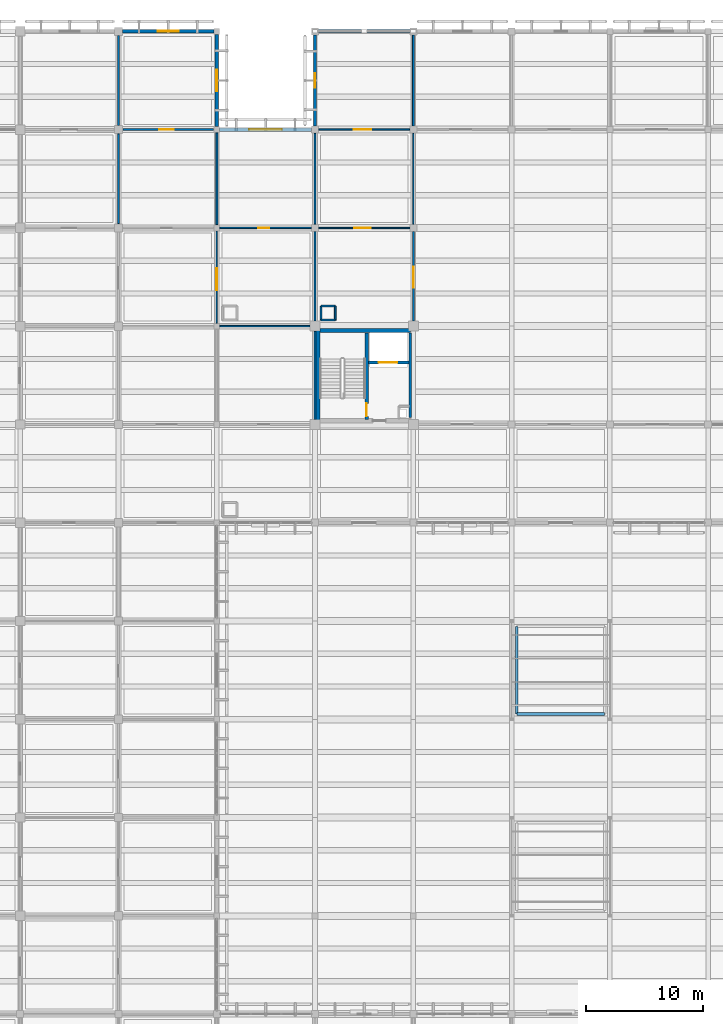
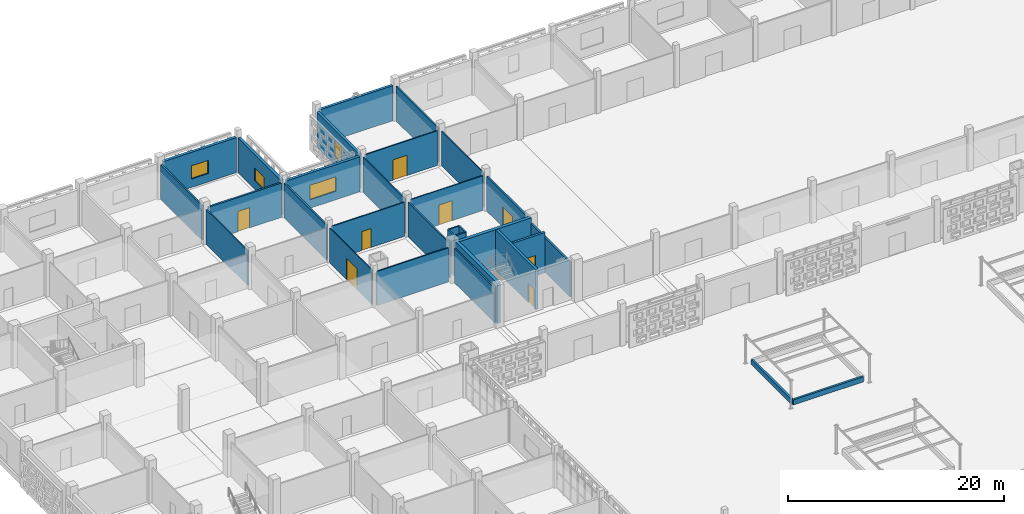
# One storey, part 65 of 129: 31 walls, 8 doors, 4 windows, 12 openings.
"""IFC4 building model written with IfcOpenShell, lengths in metres."""

from ifc_helpers import new_model, si_unit, direction, frame, frame_2d, origin, place, context, subcontext, project, spatial, rectangle, extrude, material, layer, layer_set, type_object, element, fill, save


model = new_model("IFC4")

# Units and contexts
model_context = context("Model", 3, precision=1e-05, world=origin(), true_north=direction((0.0, 1.0)))
body_context = subcontext(model_context, "Body", "Model", "MODEL_VIEW")
ifc_project = project(units=[si_unit("LENGTHUNIT", "METRE"), si_unit("AREAUNIT", "SQUARE_METRE"), si_unit("VOLUMEUNIT", "CUBIC_METRE"), si_unit("PLANEANGLEUNIT", "RADIAN"), si_unit("MASSUNIT", "GRAM", prefix="KILO")], contexts=[model_context])

# Site, building, storey
site_placement = place(None, origin())
site = spatial("IfcSite", under=ifc_project, at=site_placement, CompositionType="ELEMENT")
building_placement = place(site_placement, origin())
building = spatial("IfcBuilding", under=site, at=building_placement, Name="Varnapada Polytechnic", CompositionType="ELEMENT")
storey_placement = place(building_placement, origin())
storey = spatial("IfcBuildingStorey", under=building, at=storey_placement, Name="L00", CompositionType="ELEMENT", Elevation=0.0)

# Walls
ifc_material_1 = material(Name="Autoclaved Aerated Concrete Block AAC-600", Category="concrete")
ifc_layer_1 = layer(ifc_material_1, 0.199951171875)
ifc_layer_set_1 = layer_set([ifc_layer_1], Name="Autoclaved Aerated Concrete Block AAC-600")
wall_type_1 = type_object("IfcWallType", Name="Interior Wall IW-01", PredefinedType="PARTITIONING", material=ifc_layer_set_1)
wall_1_placement = place(storey_placement, frame((58.5400390625, 100.199951171875, 0.0), z_axis=(0.0, 0.0, 1.0), x_axis=(0.0, -1.0, 0.0)))
element("IfcWall", 1, at=wall_1_placement, inside=storey, type_object=wall_type_1, Name="L00 C4 firefighting lobby east wall", PredefinedType="PARTITIONING", context=body_context, shape_type="SweptSolid", body=[
    extrude(rectangle(XDim=7.199951171875, YDim=0.199951171875, at=frame_2d((3.60009765625, 0.0))), origin(), (0.0, 0.0, 1.0), 3.919921875),
])
ifc_layer_2 = layer(ifc_material_1, 0.14990234375)
ifc_layer_set_2 = layer_set([ifc_layer_2], Name="Autoclaved Aerated Concrete Block AAC-600")
wall_type_2 = type_object("IfcWallType", Name="Interior Wall IW-02", PredefinedType="PARTITIONING", material=ifc_layer_set_2)
wall_2_placement = place(storey_placement, frame((50.919921875, 101.320068359375, 0.0), z_axis=(0.0, 0.0, 1.0), x_axis=(1.0, 0.0, 0.0)))
element("IfcWall", 2, at=wall_2_placement, inside=storey, type_object=wall_type_2, Name="L00 enclosed service riser wall (7,13) S", PredefinedType="PARTITIONING", context=body_context, shape_type="SweptSolid", body=[
    extrude(rectangle(XDim=1.2001953125, YDim=0.14990234375, at=frame_2d((0.60009765625, 0.0))), origin(), (0.0, 0.0, 1.0), 4.5400390625),
])
wall_3_placement = place(storey_placement, frame((52.1201171875, 101.320068359375, 0.0), z_axis=(0.0, 0.0, 1.0), x_axis=(0.0, 1.0, 0.0)))
element("IfcWall", 3, at=wall_3_placement, inside=storey, type_object=wall_type_2, Name="L00 enclosed service riser wall (7,13) E", PredefinedType="PARTITIONING", context=body_context, shape_type="SweptSolid", body=[
    extrude(rectangle(XDim=1.199951171875, YDim=0.14990234375, at=frame_2d((0.60009765625, 0.0))), origin(), (0.0, 0.0, 1.0), 4.5400390625),
])
wall_4_placement = place(storey_placement, frame((52.1201171875, 102.52001953125, 0.0), z_axis=(0.0, 0.0, 1.0), x_axis=(-1.0, 0.0, 0.0)))
element("IfcWall", 4, at=wall_4_placement, inside=storey, type_object=wall_type_2, Name="L00 enclosed service riser wall (7,13) N", PredefinedType="PARTITIONING", context=body_context, shape_type="SweptSolid", body=[
    extrude(rectangle(XDim=1.2001953125, YDim=0.14990234375, at=frame_2d((0.60009765625, 0.0))), origin(), (0.0, 0.0, 1.0), 4.5400390625),
])
wall_5_placement = place(storey_placement, frame((50.919921875, 102.52001953125, 0.0), z_axis=(0.0, 0.0, 1.0), x_axis=(0.0, -1.0, 0.0)))
element("IfcWall", 5, at=wall_5_placement, inside=storey, type_object=wall_type_2, Name="L00 enclosed service riser wall (7,13) W", PredefinedType="PARTITIONING", context=body_context, shape_type="SweptSolid", body=[
    extrude(rectangle(XDim=1.199951171875, YDim=0.14990234375, at=frame_2d((0.60009765625, 0.0))), origin(), (0.0, 0.0, 1.0), 4.5400390625),
])
wall_6_placement = place(storey_placement, frame((50.39990234375, 101.2451171875, 0.0), z_axis=(0.0, 0.0, 1.0), x_axis=(0.0, 1.0, 0.0)))
element("IfcWall", 6, at=wall_6_placement, inside=storey, type_object=wall_type_2, Name="L00 interior partition IW-L00-05-12-V", PredefinedType="PARTITIONING", context=body_context, shape_type="SweptSolid", body=[
    extrude(rectangle(XDim=7.634765625, YDim=0.14990234375, at=frame_2d((3.8173828125, 0.0))), origin(), (0.0, 0.0, 1.0), 3.919921875),
])

# Wall, opening, door
ifc_material_2 = material(Name="Gypsum Plasterboard Acoustic Partition")
ifc_layer_3 = layer(ifc_material_2, 0.125)
ifc_layer_set_3 = layer_set([ifc_layer_3], Name="Gypsum Plasterboard Acoustic Partition")
wall_type_3 = type_object("IfcWallType", Name="Interior Wall IW-03", PredefinedType="PARTITIONING", material=ifc_layer_set_3)
wall_7_placement = place(storey_placement, frame((42.27001953125, 109.199951171875, 0.0), z_axis=(0.0, 0.0, 1.0), x_axis=(1.0, 0.0, 0.0)))
wall_7 = element("IfcWall", 7, at=wall_7_placement, inside=storey, type_object=wall_type_3, Name="L00 interior partition IW-L00-05-12-H", PredefinedType="PARTITIONING", context=body_context, shape_type="SweptSolid", body=[
    extrude(rectangle(XDim=7.81005859375, YDim=0.125, at=frame_2d((3.905029296875, 0.0))), origin(), (0.0, 0.0, 1.0), 3.860107421875),
])
opening_1_placement = place(wall_7_placement, frame((3.27490234375, 0.0, 0.0)))
opening_1 = element("IfcOpeningElement", 8, at=opening_1_placement, cuts=wall_7, Name="Opening D-868", PredefinedType="OPENING", context=body_context, shape_type="SweptSolid", body=[
    extrude(rectangle(XDim=0.949951171875, YDim=2.14990234375, at=frame_2d((0.47509765625, 1.074951171875))), frame((0.0, 0.072509765625, 0.0), z_axis=(0.0, -1.0, 0.0), x_axis=(1.0, 0.0, 0.0)), (0.0, 0.0, 1.0), 0.14501953125),
])
ifc_material_3 = material(Name="Moisture-Resistant HPL Timber", Category="wood")
door_type_1 = type_object("IfcDoorType", Name="Interior Door ID-03", OperationType="NOTDEFINED", PredefinedType="DOOR", material=ifc_material_3)
door_1_placement = place(opening_1_placement, origin())
door_1 = element("IfcDoor", 9, at=door_1_placement, inside=storey, type_object=door_type_1, Name="L00 interior room door D-868", OperationType="SINGLE_SWING_LEFT", OverallHeight=2.14990234375, OverallWidth=0.949951171875, PredefinedType="DOOR", context=body_context, shape_type="SweptSolid", body=[
    extrude(rectangle(XDim=0.949951171875, YDim=2.14990234375, at=frame_2d((0.47509765625, 1.074951171875))), frame((0.0, 0.02490234375, 0.0), z_axis=(0.0, -1.0, 0.0), x_axis=(1.0, 0.0, 0.0)), (0.0, 0.0, 1.0), 0.050048828125),
])
fill(opening_1, door_1)

# Walls
ifc_material_4 = material(Name="Moisture-Resistant Cement Board Partition")
ifc_layer_4 = layer(ifc_material_4, 0.139892578125)
ifc_layer_set_4 = layer_set([ifc_layer_4], Name="Moisture-Resistant Cement Board Partition")
wall_type_4 = type_object("IfcWallType", Name="Interior Wall IW-04", PredefinedType="PARTITIONING", material=ifc_layer_set_4)
wall_8_placement = place(storey_placement, frame((33.60009765625, 109.570068359375, 0.0), z_axis=(0.0, 0.0, 1.0), x_axis=(0.0, 1.0, 0.0)))
element("IfcWall", 10, at=wall_8_placement, inside=storey, type_object=wall_type_4, Name="L00 interior partition IW-L00-03-13-V", PredefinedType="PARTITIONING", context=body_context, shape_type="SweptSolid", body=[
    extrude(rectangle(XDim=7.659912109375, YDim=0.139892578125, at=frame_2d((3.830078125, 0.0))), origin(), (0.0, 0.0, 1.0), 3.919921875),
])
wall_9_placement = place(storey_placement, frame((50.39990234375, 92.844970703125, 0.0), z_axis=(0.0, 0.0, 1.0), x_axis=(0.0, 1.0, 0.0)))
element("IfcWall", 11, at=wall_9_placement, inside=storey, type_object=wall_type_4, Name="L00 interior partition IW-L00-05-11-V", PredefinedType="PARTITIONING", context=body_context, shape_type="SweptSolid", body=[
    extrude(rectangle(XDim=7.510009765625, YDim=0.139892578125, at=frame_2d((3.7548828125, 0.0))), origin(), (0.0, 0.0, 1.0), 3.919921875),
])
wall_10_placement = place(storey_placement, frame((42.27001953125, 100.800048828125, 0.0), z_axis=(0.0, 0.0, 1.0), x_axis=(1.0, 0.0, 0.0)))
element("IfcWall", 12, at=wall_10_placement, inside=storey, type_object=wall_type_4, Name="L00 interior partition IW-L00-05-11-H", PredefinedType="PARTITIONING", context=body_context, shape_type="SweptSolid", body=[
    extrude(rectangle(XDim=7.68505859375, YDim=0.139892578125, at=frame_2d((3.842529296875, 0.0))), origin(), (0.0, 0.0, 1.0), 3.860107421875),
])
wall_11_placement = place(storey_placement, frame((50.39990234375, 109.52001953125, 0.0), z_axis=(0.0, 0.0, 1.0), x_axis=(0.0, 1.0, 0.0)))
element("IfcWall", 13, at=wall_11_placement, inside=storey, type_object=wall_type_4, Name="L00 interior partition IW-L00-05-13-V", PredefinedType="PARTITIONING", context=body_context, shape_type="SweptSolid", body=[
    extrude(rectangle(XDim=7.760009765625, YDim=0.139892578125, at=frame_2d((3.8798828125, 0.0))), origin(), (0.0, 0.0, 1.0), 3.919921875),
])
ifc_material_5 = material(Name="Acoustic Double-Stud Studio Partition")
ifc_layer_5 = layer(ifc_material_5, 0.179931640625)
ifc_layer_set_5 = layer_set([ifc_layer_5], Name="Acoustic Double-Stud Studio Partition")
wall_type_5 = type_object("IfcWallType", Name="Interior Wall IW-06", PredefinedType="PARTITIONING", material=ifc_layer_set_5)
wall_12_placement = place(storey_placement, frame((33.60009765625, 117.969970703125, 0.0), z_axis=(0.0, 0.0, 1.0), x_axis=(0.0, 1.0, 0.0)))
element("IfcWall", 14, at=wall_12_placement, inside=storey, type_object=wall_type_5, Name="L00 interior partition IW-L00-03-14-V", PredefinedType="PARTITIONING", context=body_context, shape_type="SweptSolid", body=[
    extrude(rectangle(XDim=7.659912109375, YDim=0.179931640625, at=frame_2d((3.830078125, 0.0))), origin(), (0.0, 0.0, 1.0), 3.919921875),
])

# Wall, opening, door
wall_13_placement = place(storey_placement, frame((58.800048828125, 101.2451171875, 0.0), z_axis=(0.0, 0.0, 1.0), x_axis=(0.0, 1.0, 0.0)))
wall_13 = element("IfcWall", 15, at=wall_13_placement, inside=storey, type_object=wall_type_5, Name="L00 interior partition IW-L00-06-12-V", PredefinedType="PARTITIONING", context=body_context, shape_type="SweptSolid", body=[
    extrude(rectangle(XDim=7.634765625, YDim=0.179931640625, at=frame_2d((3.8173828125, 0.0))), origin(), (0.0, 0.0, 1.0), 3.919921875),
])
opening_2_placement = place(wall_13_placement, frame((2.85009765625, 0.0, 0.0)))
opening_2 = element("IfcOpeningElement", 16, at=opening_2_placement, cuts=wall_13, Name="Opening D-870", PredefinedType="OPENING", context=body_context, shape_type="SweptSolid", body=[
    extrude(rectangle(XDim=1.800048828125, YDim=2.300048828125, at=frame_2d((0.89990234375, 1.14990234375))), frame((0.0, 0.099853515625, 0.0), z_axis=(0.0, -1.0, 0.0), x_axis=(1.0, 0.0, 0.0)), (0.0, 0.0, 1.0), 0.199951171875),
])
ifc_material_6 = material(Name="Acoustic Double Timber Leaf", Category="wood")
door_type_2 = type_object("IfcDoorType", Name="Interior Door ID-04", OperationType="NOTDEFINED", PredefinedType="DOOR", material=ifc_material_6)
door_2_placement = place(opening_2_placement, origin())
door_2 = element("IfcDoor", 17, at=door_2_placement, inside=storey, type_object=door_type_2, Name="L00 interior room door D-870", OperationType="SINGLE_SWING_LEFT", OverallHeight=2.300048828125, OverallWidth=1.800048828125, PredefinedType="DOOR", context=body_context, shape_type="SweptSolid", body=[
    extrude(rectangle(XDim=1.800048828125, YDim=2.300048828125, at=frame_2d((0.89990234375, 1.14990234375))), frame((0.0, 0.02490234375, 0.0), z_axis=(0.0, -1.0, 0.0), x_axis=(1.0, 0.0, 0.0)), (0.0, 0.0, 1.0), 0.050048828125),
])
fill(opening_2, door_2)

ifc_material_7 = material(Name="Glazed Timber-Framed Studio Screen", Category="wood")
ifc_layer_6 = layer(ifc_material_7, 0.110107421875)
ifc_layer_set_6 = layer_set([ifc_layer_6], Name="Glazed Timber-Framed Studio Screen")
wall_type_6 = type_object("IfcWallType", Name="Interior Wall IW-07", PredefinedType="PARTITIONING", material=ifc_layer_set_6)
wall_14_placement = place(storey_placement, frame((50.719970703125, 109.199951171875, 0.0), z_axis=(0.0, 0.0, 1.0), x_axis=(1.0, 0.0, 0.0)))
wall_14 = element("IfcWall", 18, at=wall_14_placement, inside=storey, type_object=wall_type_6, Name="L00 interior partition IW-L00-06-12-H", PredefinedType="PARTITIONING", context=body_context, shape_type="SweptSolid", body=[
    extrude(rectangle(XDim=7.760009765625, YDim=0.110107421875, at=frame_2d((3.8798828125, 0.0))), origin(), (0.0, 0.0, 1.0), 3.919921875),
])
opening_3_placement = place(wall_14_placement, frame((3.050048828125, 0.0, 0.0)))
opening_3 = element("IfcOpeningElement", 19, at=opening_3_placement, cuts=wall_14, Name="Opening D-871", PredefinedType="OPENING", context=body_context, shape_type="SweptSolid", body=[
    extrude(rectangle(XDim=1.39990234375, YDim=2.25, at=frame_2d((0.699951171875, 1.125))), frame((0.0, 0.06494140625, 0.0), z_axis=(0.0, -1.0, 0.0), x_axis=(1.0, 0.0, 0.0)), (0.0, 0.0, 1.0), 0.130126953125),
])
ifc_material_8 = material(Name="Powder-Coated Aluminium 6063-T6", Category="aluminium")
door_type_3 = type_object("IfcDoorType", Name="Interior Door ID-06", OperationType="NOTDEFINED", PredefinedType="DOOR", material=ifc_material_8)
door_3_placement = place(opening_3_placement, origin())
door_3 = element("IfcDoor", 20, at=door_3_placement, inside=storey, type_object=door_type_3, Name="L00 interior room door D-871", OperationType="SINGLE_SWING_RIGHT", OverallHeight=2.25, OverallWidth=1.39990234375, PredefinedType="DOOR", context=body_context, shape_type="SweptSolid", body=[
    extrude(rectangle(XDim=1.39990234375, YDim=2.25, at=frame_2d((0.699951171875, 1.125))), frame((0.0, 0.02490234375, 0.0), z_axis=(0.0, -1.0, 0.0), x_axis=(1.0, 0.0, 0.0)), (0.0, 0.0, 1.0), 0.050048828125),
])
fill(opening_3, door_3)

ifc_material_9 = material(Name="Operable Acoustic Seminar Partition")
ifc_layer_7 = layer(ifc_material_9, 0.10009765625)
ifc_layer_set_7 = layer_set([ifc_layer_7], Name="Operable Acoustic Seminar Partition")
wall_type_7 = type_object("IfcWallType", Name="Interior Wall IW-08", PredefinedType="MOVABLE", material=ifc_layer_set_7)
wall_15_placement = place(storey_placement, frame((42.0, 101.070068359375, 0.0), z_axis=(0.0, 0.0, 1.0), x_axis=(0.0, 1.0, 0.0)))
wall_15 = element("IfcWall", 21, at=wall_15_placement, inside=storey, type_object=wall_type_7, Name="L00 interior partition IW-L00-04-12-V", PredefinedType="MOVABLE", context=body_context, shape_type="SweptSolid", body=[
    extrude(rectangle(XDim=7.85986328125, YDim=0.10009765625, at=frame_2d((3.929931640625, 0.0))), origin(), (0.0, 0.0, 1.0), 3.919921875),
])
opening_4_placement = place(wall_15_placement, frame((2.800048828125, 0.0, 0.0)))
opening_4 = element("IfcOpeningElement", 22, at=opening_4_placement, cuts=wall_15, Name="Opening D-862", PredefinedType="OPENING", context=body_context, shape_type="SweptSolid", body=[
    extrude(rectangle(XDim=1.89990234375, YDim=2.39990234375, at=frame_2d((0.949951171875, 1.199951171875))), frame((0.0, 0.06005859375, 0.0), z_axis=(0.0, -1.0, 0.0), x_axis=(1.0, 0.0, 0.0)), (0.0, 0.0, 1.0), 0.1201171875),
])
ifc_material_10 = material(Name="Heavy Workshop Double Steel Door", Category="steel")
door_type_4 = type_object("IfcDoorType", Name="Interior Door ID-14", OperationType="NOTDEFINED", PredefinedType="DOOR", material=ifc_material_10)
door_4_placement = place(opening_4_placement, origin())
door_4 = element("IfcDoor", 23, at=door_4_placement, inside=storey, type_object=door_type_4, Name="L00 interior room door D-862", OperationType="SINGLE_SWING_LEFT", OverallHeight=2.39990234375, OverallWidth=1.89990234375, PredefinedType="DOOR", context=body_context, shape_type="SweptSolid", body=[
    extrude(rectangle(XDim=1.89990234375, YDim=2.39990234375, at=frame_2d((0.949951171875, 1.199951171875))), frame((0.0, 0.02490234375, 0.0), z_axis=(0.0, -1.0, 0.0), x_axis=(1.0, 0.0, 0.0)), (0.0, 0.0, 1.0), 0.050048828125),
])
fill(opening_4, door_4)

# Wall
wall_16_placement = place(storey_placement, frame((58.800048828125, 109.52001953125, 0.0), z_axis=(0.0, 0.0, 1.0), x_axis=(0.0, 1.0, 0.0)))
element("IfcWall", 24, at=wall_16_placement, inside=storey, type_object=wall_type_7, Name="L00 interior partition IW-L00-06-13-V", PredefinedType="MOVABLE", context=body_context, shape_type="SweptSolid", body=[
    extrude(rectangle(XDim=7.760009765625, YDim=0.10009765625, at=frame_2d((3.8798828125, 0.0))), origin(), (0.0, 0.0, 1.0), 3.919921875),
])

# Wall, opening, door
ifc_material_11 = material(Name="Calcium Silicate Acoustic Lab Partition")
ifc_layer_8 = layer(ifc_material_11, 0.135009765625)
ifc_layer_set_8 = layer_set([ifc_layer_8], Name="Calcium Silicate Acoustic Lab Partition")
wall_type_8 = type_object("IfcWallType", Name="Interior Wall IW-09", PredefinedType="PARTITIONING", material=ifc_layer_set_8)
wall_17_placement = place(storey_placement, frame((50.719970703125, 117.60009765625, 0.0), z_axis=(0.0, 0.0, 1.0), x_axis=(1.0, 0.0, 0.0)))
wall_17 = element("IfcWall", 25, at=wall_17_placement, inside=storey, type_object=wall_type_8, Name="L00 interior partition IW-L00-06-13-H", PredefinedType="PARTITIONING", context=body_context, shape_type="SweptSolid", body=[
    extrude(rectangle(XDim=7.760009765625, YDim=0.135009765625, at=frame_2d((3.8798828125, 0.0))), origin(), (0.0, 0.0, 1.0), 3.919921875),
])
opening_5_placement = place(wall_17_placement, frame((3.0, 0.0, 0.0)))
opening_5 = element("IfcOpeningElement", 26, at=opening_5_placement, cuts=wall_17, Name="Opening D-872", PredefinedType="OPENING", context=body_context, shape_type="SweptSolid", body=[
    extrude(rectangle(XDim=1.5, YDim=2.300048828125, at=frame_2d((0.75, 1.14990234375))), frame((0.0, 0.077392578125, 0.0), z_axis=(0.0, -1.0, 0.0), x_axis=(1.0, 0.0, 0.0)), (0.0, 0.0, 1.0), 0.155029296875),
])
ifc_material_12 = material(Name="Galvanized Steel Z275", Category="steel")
door_type_5 = type_object("IfcDoorType", Name="Interior Door ID-07", OperationType="NOTDEFINED", PredefinedType="DOOR", material=ifc_material_12)
door_5_placement = place(opening_5_placement, frame((1.5, 0.0, 0.0), z_axis=(0.0, 0.0, 1.0), x_axis=(-1.0, 0.0, 0.0)))
door_5 = element("IfcDoor", 27, at=door_5_placement, inside=storey, type_object=door_type_5, Name="L00 interior room door D-872", OperationType="SINGLE_SWING_LEFT", OverallHeight=2.300048828125, OverallWidth=1.5, PredefinedType="DOOR", context=body_context, shape_type="SweptSolid", body=[
    extrude(rectangle(XDim=1.5, YDim=2.300048828125, at=frame_2d((0.75, 1.14990234375))), frame((0.0, 0.02490234375, 0.0), z_axis=(0.0, -1.0, 0.0), x_axis=(1.0, 0.0, 0.0)), (0.0, 0.0, 1.0), 0.050048828125),
])
fill(opening_5, door_5)

# Walls
ifc_material_13 = material(Name="Double-Layer Fireboard Workshop Wall")
ifc_layer_9 = layer(ifc_material_13, 0.169921875)
ifc_layer_set_9 = layer_set([ifc_layer_9], Name="Double-Layer Fireboard Workshop Wall")
wall_type_9 = type_object("IfcWallType", Name="Interior Wall IW-10", PredefinedType="PARTITIONING", material=ifc_layer_set_9)
wall_18_placement = place(storey_placement, frame((42.0, 109.469970703125, 0.0), z_axis=(0.0, 0.0, 1.0), x_axis=(0.0, 1.0, 0.0)))
element("IfcWall", 28, at=wall_18_placement, inside=storey, type_object=wall_type_9, Name="L00 interior partition IW-L00-04-13-V", PredefinedType="PARTITIONING", context=body_context, shape_type="SweptSolid", body=[
    extrude(rectangle(XDim=7.860107421875, YDim=0.169921875, at=frame_2d((3.93017578125, 0.0))), origin(), (0.0, 0.0, 1.0), 3.919921875),
])
wall_19_placement = place(storey_placement, frame((58.800048828125, 117.919921875, 0.0), z_axis=(0.0, 0.0, 1.0), x_axis=(0.0, 1.0, 0.0)))
element("IfcWall", 29, at=wall_19_placement, inside=storey, type_object=wall_type_9, Name="L00 interior partition IW-L00-06-14-V", PredefinedType="PARTITIONING", context=body_context, shape_type="SweptSolid", body=[
    extrude(rectangle(XDim=7.760009765625, YDim=0.169921875, at=frame_2d((3.8798828125, 0.0))), origin(), (0.0, 0.0, 1.0), 3.919921875),
])

# Wall, opening, door
ifc_material_14 = material(Name="Insulated Masonry Plant Room Wall", Category="masonry")
ifc_layer_10 = layer(ifc_material_14, 0.18994140625)
ifc_layer_set_10 = layer_set([ifc_layer_10], Name="Insulated Masonry Plant Room Wall")
wall_type_10 = type_object("IfcWallType", Name="Interior Wall IW-11", PredefinedType="PARTITIONING", material=ifc_layer_set_10)
wall_20_placement = place(storey_placement, frame((33.969970703125, 117.60009765625, 0.0), z_axis=(0.0, 0.0, 1.0), x_axis=(1.0, 0.0, 0.0)))
wall_20 = element("IfcWall", 30, at=wall_20_placement, inside=storey, type_object=wall_type_10, Name="L00 interior partition IW-L00-04-13-H", PredefinedType="PARTITIONING", context=body_context, shape_type="SweptSolid", body=[
    extrude(rectangle(XDim=7.760009765625, YDim=0.18994140625, at=frame_2d((3.8798828125, 0.0))), origin(), (0.0, 0.0, 1.0), 3.8701171875),
])
opening_6_placement = place(wall_20_placement, frame((3.125, 0.0, 0.0)))
opening_6 = element("IfcOpeningElement", 31, at=opening_6_placement, cuts=wall_20, Name="Opening D-864", PredefinedType="OPENING", context=body_context, shape_type="SweptSolid", body=[
    extrude(rectangle(XDim=1.25, YDim=2.300048828125, at=frame_2d((0.625, 1.14990234375))), frame((0.0, 0.10498046875, 0.0), z_axis=(0.0, -1.0, 0.0), x_axis=(1.0, 0.0, 0.0)), (0.0, 0.0, 1.0), 0.2099609375),
])
ifc_material_15 = material(Name="Solid Teak Hardwood Timber", Category="wood")
door_type_6 = type_object("IfcDoorType", Name="Interior Door ID-16", OperationType="NOTDEFINED", PredefinedType="DOOR", material=ifc_material_15)
door_6_placement = place(opening_6_placement, origin())
door_6 = element("IfcDoor", 32, at=door_6_placement, inside=storey, type_object=door_type_6, Name="L00 interior room door D-864", OperationType="SINGLE_SWING_LEFT", OverallHeight=2.300048828125, OverallWidth=1.25, PredefinedType="DOOR", context=body_context, shape_type="SweptSolid", body=[
    extrude(rectangle(XDim=1.25, YDim=2.300048828125, at=frame_2d((0.625, 1.14990234375))), frame((0.0, 0.02490234375, 0.0), z_axis=(0.0, -1.0, 0.0), x_axis=(1.0, 0.0, 0.0)), (0.0, 0.0, 1.0), 0.050048828125),
])
fill(opening_6, door_6)

# Walls
ifc_material_16 = material(Name="Concrete C40/50", Category="concrete")
ifc_layer_11 = layer(ifc_material_16, 0.35009765625)
ifc_layer_set_11 = layer_set([ifc_layer_11], Name="Concrete C40/50")
wall_type_11 = type_object("IfcWallType", Name="Interior Wall SW-01", PredefinedType="SHEAR", material=ifc_layer_set_11)
wall_21_placement = place(storey_placement, frame((50.6650390625, 92.64990234375, 0.0), z_axis=(0.0, 0.0, 1.0), x_axis=(0.0, 1.0, 0.0)))
element("IfcWall", 33, at=wall_21_placement, inside=storey, type_object=wall_type_11, Name="L00 C4 stair west shear wall", PredefinedType="SHEAR", context=body_context, shape_type="SweptSolid", body=[
    extrude(rectangle(XDim=7.940185546875, YDim=0.35009765625, at=frame_2d((3.97021484375, 0.0))), origin(), (0.0, 0.0, 1.0), 4.5400390625),
])
wall_22_placement = place(storey_placement, frame((50.6650390625, 100.419921875, 0.0), z_axis=(0.0, 0.0, 1.0), x_axis=(1.0, 0.0, 0.0)))
element("IfcWall", 34, at=wall_22_placement, inside=storey, type_object=wall_type_11, Name="L00 C4 core north shear wall", PredefinedType="SHEAR", context=body_context, shape_type="SweptSolid", body=[
    extrude(rectangle(XDim=7.875, YDim=0.35009765625, at=frame_2d((3.9375, 0.0))), origin(), (0.0, 0.0, 1.0), 4.5400390625),
])

# Wall, opening, door
ifc_layer_12 = layer(ifc_material_16, 0.300048828125)
ifc_layer_set_12 = layer_set([ifc_layer_12], Name="Concrete C40/50")
wall_type_12 = type_object("IfcWallType", Name="Interior Wall SW-02", PredefinedType="SHEAR", material=ifc_layer_set_12)
wall_23_placement = place(storey_placement, frame((54.81005859375, 92.820068359375, 0.0), z_axis=(0.0, 0.0, 1.0), x_axis=(0.0, 1.0, 0.0)))
wall_23 = element("IfcWall", 35, at=wall_23_placement, inside=storey, type_object=wall_type_12, Name="L00 C4 stair-lobby dividing shear wall", PredefinedType="SHEAR", context=body_context, shape_type="SweptSolid", body=[
    extrude(rectangle(XDim=7.3798828125, YDim=0.300048828125, at=frame_2d((3.68994140625, 0.0))), origin(), (0.0, 0.0, 1.0), 4.5400390625),
])
opening_7_placement = place(wall_23_placement, frame((0.280029296875, 0.0, 0.0)))
opening_7 = element("IfcOpeningElement", 36, at=opening_7_placement, cuts=wall_23, Name="Opening D-815", PredefinedType="OPENING", context=body_context, shape_type="SweptSolid", body=[
    extrude(rectangle(XDim=1.10009765625, YDim=2.14990234375, at=frame_2d((0.550048828125, 1.074951171875))), frame((0.0, 0.159912109375, 0.0), z_axis=(0.0, -1.0, 0.0), x_axis=(1.0, 0.0, 0.0)), (0.0, 0.0, 1.0), 0.320068359375),
])
door_type_7 = type_object("IfcDoorType", Name="Interior Door ID-01", OperationType="NOTDEFINED", PredefinedType="DOOR", material=ifc_material_12)
door_7_placement = place(opening_7_placement, frame((1.10009765625, 0.0, 0.0), z_axis=(0.0, 0.0, 1.0), x_axis=(-1.0, 0.0, 0.0)))
door_7 = element("IfcDoor", 37, at=door_7_placement, inside=storey, type_object=door_type_7, Name="L00 C4 exit stair door D-815", OperationType="SINGLE_SWING_RIGHT", OverallHeight=2.14990234375, OverallWidth=1.10009765625, PredefinedType="DOOR", context=body_context, shape_type="SweptSolid", body=[
    extrude(rectangle(XDim=1.10009765625, YDim=2.14990234375, at=frame_2d((0.550048828125, 1.074951171875))), frame((0.0, 0.02490234375, 0.0), z_axis=(0.0, -1.0, 0.0), x_axis=(1.0, 0.0, 0.0)), (0.0, 0.0, 1.0), 0.050048828125),
])
fill(opening_7, door_7)

ifc_layer_13 = layer(ifc_material_16, 0.25)
ifc_layer_set_13 = layer_set([ifc_layer_13], Name="Concrete C40/50")
wall_type_13 = type_object("IfcWallType", Name="Interior Wall SW-05", PredefinedType="SHEAR", material=ifc_layer_set_13)
wall_24_placement = place(storey_placement, frame((54.97998046875, 97.679931640625, 0.0), z_axis=(0.0, 0.0, 1.0), x_axis=(1.0, 0.0, 0.0)))
wall_24 = element("IfcWall", 38, at=wall_24_placement, inside=storey, type_object=wall_type_13, Name="L00 C4 lift shaft front wall", PredefinedType="SHEAR", context=body_context, shape_type="SweptSolid", body=[
    extrude(rectangle(XDim=3.4599609375, YDim=0.25, at=frame_2d((1.72998046875, 0.0))), origin(), (0.0, 0.0, 1.0), 4.5400390625),
])
opening_8_placement = place(wall_24_placement, frame((0.85009765625, 0.0, 0.0)))
opening_8 = element("IfcOpeningElement", 39, at=opening_8_placement, cuts=wall_24, Name="Opening LD-010", PredefinedType="OPENING", context=body_context, shape_type="SweptSolid", body=[
    extrude(rectangle(XDim=1.60009765625, YDim=2.300048828125, at=frame_2d((0.800048828125, 1.14990234375))), frame((0.0, 0.135009765625, 0.0), z_axis=(0.0, -1.0, 0.0), x_axis=(1.0, 0.0, 0.0)), (0.0, 0.0, 1.0), 0.27001953125),
])
ifc_material_17 = material(Name="Brushed Stainless Steel 316", Category="steel")
door_type_8 = type_object("IfcDoorType", Name="Interior Door LD-02", OperationType="NOTDEFINED", PredefinedType="DOOR", material=ifc_material_17)
door_8_placement = place(opening_8_placement, origin())
door_8 = element("IfcDoor", 40, at=door_8_placement, inside=storey, type_object=door_type_8, Name="L00 LFT-04 sliding lift landing door LD-010", OperationType="DOUBLE_DOOR_SLIDING", OverallHeight=2.300048828125, OverallWidth=1.60009765625, PredefinedType="DOOR", context=body_context, shape_type="SweptSolid", body=[
    extrude(rectangle(XDim=1.60009765625, YDim=2.300048828125, at=frame_2d((0.800048828125, 1.14990234375))), frame((0.0, 0.02490234375, 0.0), z_axis=(0.0, -1.0, 0.0), x_axis=(1.0, 0.0, 0.0)), (0.0, 0.0, 1.0), 0.050048828125),
])
fill(opening_8, door_8)

# Wall, opening, window
ifc_material_18 = material(Name="Precast concrete C40/50", Category="concrete")
ifc_layer_14 = layer(ifc_material_18, 0.300048828125)
ifc_layer_set_14 = layer_set([ifc_layer_14], Name="Precast concrete C40/50")
wall_type_14 = type_object("IfcWallType", Name="Wall EW-01", PredefinedType="SOLIDWALL", material=ifc_layer_set_14)
wall_25_placement = place(storey_placement, frame((33.949951171875, 126.0, 0.0), z_axis=(0.0, 0.0, 1.0), x_axis=(1.0, 0.0, 0.0)))
wall_25 = element("IfcWall", 41, at=wall_25_placement, inside=storey, type_object=wall_type_14, Name="L00 exterior wall EW-01 (30)", PredefinedType="SOLIDWALL", context=body_context, shape_type="SweptSolid", body=[
    extrude(rectangle(XDim=7.800048828125, YDim=0.300048828125, at=frame_2d((3.89990234375, 0.0))), origin(), (0.0, 0.0, 1.0), 3.9599609375),
])
opening_9_placement = place(wall_25_placement, frame((3.0, 0.0, 0.949951171875)))
opening_9 = element("IfcOpeningElement", 42, at=opening_9_placement, cuts=wall_25, Name="Opening WN-05", PredefinedType="OPENING", context=body_context, shape_type="SweptSolid", body=[
    extrude(rectangle(XDim=1.800048828125, YDim=1.5, at=frame_2d((0.89990234375, 0.75))), frame((0.0, 0.159912109375, 0.0), z_axis=(0.0, -1.0, 0.0), x_axis=(1.0, 0.0, 0.0)), (0.0, 0.0, 1.0), 0.320068359375),
])
ifc_material_19 = material(Name="Double low-E laminated glass", Category="glass")
window_type_1 = type_object("IfcWindowType", Name="Window WN-05", PartitioningType="SINGLE_PANEL", PredefinedType="WINDOW", material=ifc_material_19)
window_1_placement = place(opening_9_placement, origin())
window_1 = element("IfcWindow", 43, at=window_1_placement, inside=storey, type_object=window_type_1, Name="L00 window WN-05 (22)", OverallHeight=1.5, OverallWidth=1.800048828125, PartitioningType="SINGLE_PANEL", PredefinedType="WINDOW", context=body_context, shape_type="SweptSolid", body=[
    extrude(rectangle(XDim=1.800048828125, YDim=1.5, at=frame_2d((0.89990234375, 0.75))), frame((0.0, 0.030029296875, 0.0), z_axis=(0.0, -1.0, 0.0), x_axis=(1.0, 0.0, 0.0)), (0.0, 0.0, 1.0), 0.06005859375),
])
fill(opening_9, window_1)

wall_26_placement = place(storey_placement, frame((42.0, 125.75, 0.0), z_axis=(0.0, 0.0, 1.0), x_axis=(0.0, -1.0, 0.0)))
wall_26 = element("IfcWall", 44, at=wall_26_placement, inside=storey, type_object=wall_type_14, Name="L00 exterior wall EW-01 (31)", PredefinedType="SOLIDWALL", context=body_context, shape_type="SweptSolid", body=[
    extrude(rectangle(XDim=7.89990234375, YDim=0.300048828125, at=frame_2d((3.949951171875, 0.0))), origin(), (0.0, 0.0, 1.0), 3.9599609375),
])
opening_10_placement = place(wall_26_placement, frame((3.050048828125, 0.0, 0.949951171875)))
opening_10 = element("IfcOpeningElement", 45, at=opening_10_placement, cuts=wall_26, Name="Opening WN-05", PredefinedType="OPENING", context=body_context, shape_type="SweptSolid", body=[
    extrude(rectangle(XDim=1.800048828125, YDim=1.5, at=frame_2d((0.89990234375, 0.75))), frame((0.0, 0.159912109375, 0.0), z_axis=(0.0, -1.0, 0.0), x_axis=(1.0, 0.0, 0.0)), (0.0, 0.0, 1.0), 0.320068359375),
])
window_2_placement = place(opening_10_placement, origin())
window_2 = element("IfcWindow", 46, at=window_2_placement, inside=storey, type_object=window_type_1, Name="L00 window WN-05 (23)", OverallHeight=1.5, OverallWidth=1.800048828125, PartitioningType="SINGLE_PANEL", PredefinedType="WINDOW", context=body_context, shape_type="SweptSolid", body=[
    extrude(rectangle(XDim=1.800048828125, YDim=1.5, at=frame_2d((0.89990234375, 0.75))), frame((0.0, 0.030029296875, 0.0), z_axis=(0.0, -1.0, 0.0), x_axis=(1.0, 0.0, 0.0)), (0.0, 0.0, 1.0), 0.06005859375),
])
fill(opening_10, window_2)

wall_27_placement = place(storey_placement, frame((42.25, 117.60009765625, 0.0), z_axis=(0.0, 0.0, 1.0), x_axis=(1.0, 0.0, 0.0)))
wall_27 = element("IfcWall", 47, at=wall_27_placement, inside=storey, type_object=wall_type_14, Name="L00 exterior wall EW-01 (38)", PredefinedType="SOLIDWALL", context=body_context, shape_type="SweptSolid", body=[
    extrude(rectangle(XDim=7.85009765625, YDim=0.300048828125, at=frame_2d((3.925048828125, 0.0))), origin(), (0.0, 0.0, 1.0), 3.9599609375),
])
opening_11_placement = place(wall_27_placement, frame((2.52490234375, 0.0, 0.949951171875)))
opening_11 = element("IfcOpeningElement", 48, at=opening_11_placement, cuts=wall_27, Name="Opening WN-13", PredefinedType="OPENING", context=body_context, shape_type="SweptSolid", body=[
    extrude(rectangle(XDim=2.800048828125, YDim=1.64990234375, at=frame_2d((1.39990234375, 0.824951171875))), frame((0.0, 0.159912109375, 0.0), z_axis=(0.0, -1.0, 0.0), x_axis=(1.0, 0.0, 0.0)), (0.0, 0.0, 1.0), 0.320068359375),
])
window_type_2 = type_object("IfcWindowType", Name="Window WN-13", PartitioningType="SINGLE_PANEL", PredefinedType="WINDOW", material=ifc_material_19)
window_3_placement = place(opening_11_placement, origin())
window_3 = element("IfcWindow", 49, at=window_3_placement, inside=storey, type_object=window_type_2, Name="L00 window WN-13 (26)", OverallHeight=1.64990234375, OverallWidth=2.800048828125, PartitioningType="SINGLE_PANEL", PredefinedType="WINDOW", context=body_context, shape_type="SweptSolid", body=[
    extrude(rectangle(XDim=2.800048828125, YDim=1.64990234375, at=frame_2d((1.39990234375, 0.824951171875))), frame((0.0, 0.030029296875, 0.0), z_axis=(0.0, -1.0, 0.0), x_axis=(1.0, 0.0, 0.0)), (0.0, 0.0, 1.0), 0.06005859375),
])
fill(opening_11, window_3)

# Wall
ifc_layer_15 = layer(ifc_material_18, 0.280029296875)
ifc_layer_set_15 = layer_set([ifc_layer_15], Name="Precast concrete C40/50")
wall_type_15 = type_object("IfcWallType", Name="Wall EW-02", PredefinedType="SOLIDWALL", material=ifc_layer_set_15)
wall_28_placement = place(storey_placement, frame((50.699951171875, 126.0, 0.0), z_axis=(0.0, 0.0, 1.0), x_axis=(1.0, 0.0, 0.0)))
element("IfcWall", 50, at=wall_28_placement, inside=storey, type_object=wall_type_15, Name="L00 exterior wall EW-02 (42)", PredefinedType="SOLIDWALL", context=body_context, shape_type="SweptSolid", body=[
    extrude(rectangle(XDim=7.800048828125, YDim=0.280029296875, at=frame_2d((3.89990234375, 0.0))), origin(), (0.0, 0.0, 1.0), 3.9599609375),
])

# Wall, opening, window
wall_29_placement = place(storey_placement, frame((50.39990234375, 117.89990234375, 0.0), z_axis=(0.0, 0.0, 1.0), x_axis=(0.0, 1.0, 0.0)))
wall_29 = element("IfcWall", 51, at=wall_29_placement, inside=storey, type_object=wall_type_15, Name="L00 exterior wall EW-02 (43)", PredefinedType="SOLIDWALL", context=body_context, shape_type="SweptSolid", body=[
    extrude(rectangle(XDim=7.800048828125, YDim=0.280029296875, at=frame_2d((3.89990234375, 0.0))), origin(), (0.0, 0.0, 1.0), 3.9599609375),
])
opening_12_placement = place(wall_29_placement, frame((3.300048828125, 0.0, 0.949951171875)))
opening_12 = element("IfcOpeningElement", 52, at=opening_12_placement, cuts=wall_29, Name="Opening WN-01", PredefinedType="OPENING", context=body_context, shape_type="SweptSolid", body=[
    extrude(rectangle(XDim=1.199951171875, YDim=1.800048828125, at=frame_2d((0.60009765625, 0.89990234375))), frame((0.0, 0.14990234375, 0.0), z_axis=(0.0, -1.0, 0.0), x_axis=(1.0, 0.0, 0.0)), (0.0, 0.0, 1.0), 0.300048828125),
])
window_type_3 = type_object("IfcWindowType", Name="Window WN-01", PartitioningType="SINGLE_PANEL", PredefinedType="WINDOW", material=ifc_material_19)
window_4_placement = place(opening_12_placement, origin())
window_4 = element("IfcWindow", 53, at=window_4_placement, inside=storey, type_object=window_type_3, Name="L00 window WN-01 (28)", OverallHeight=1.800048828125, OverallWidth=1.199951171875, PartitioningType="SINGLE_PANEL", PredefinedType="WINDOW", context=body_context, shape_type="SweptSolid", body=[
    extrude(rectangle(XDim=1.199951171875, YDim=1.800048828125, at=frame_2d((0.60009765625, 0.89990234375))), frame((0.0, 0.030029296875, 0.0), z_axis=(0.0, -1.0, 0.0), x_axis=(1.0, 0.0, 0.0)), (0.0, 0.0, 1.0), 0.06005859375),
])
fill(opening_12, window_4)

# Walls
ifc_layer_16 = layer(ifc_material_18, 0.219970703125)
ifc_layer_set_16 = layer_set([ifc_layer_16], Name="Precast concrete C40/50")
wall_type_16 = type_object("IfcWallType", Name="Wall PR-01", PredefinedType="PARAPET", material=ifc_layer_set_16)
for number, where, z_axis, x_axis, name in (
    (54, (67.64990234375, 67.64990234375, 0.0), (0.0, 0.0, 1.0), (1.0, 0.0, 0.0), "Courtyard planted garden planter kerb CT-BED-4.1"),
    (55, (67.64990234375, 75.14990234375, 0.0), (0.0, 0.0, 1.0), (0.0, -1.0, 0.0), "Courtyard planted garden planter kerb CT-BED-4.4"),
):
    element("IfcWall", number, at=place(storey_placement, frame(where, z_axis=z_axis, x_axis=x_axis)), inside=storey, type_object=wall_type_16, Name=name, PredefinedType="PARAPET", context=body_context, shape_type="SweptSolid", body=[
        extrude(rectangle(XDim=7.5, YDim=0.219970703125, at=frame_2d((3.75, 0.0))), origin(), (0.0, 0.0, 1.0), 0.580078125),
    ])

save(model, "model.ifc")
